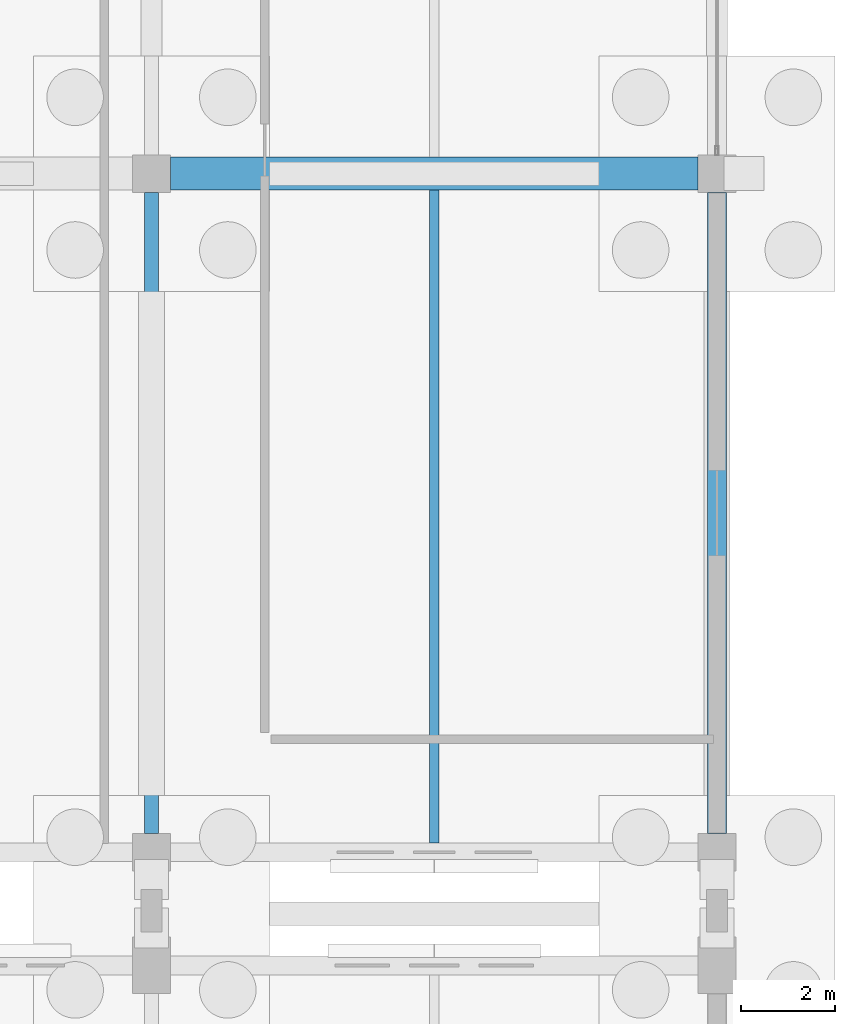
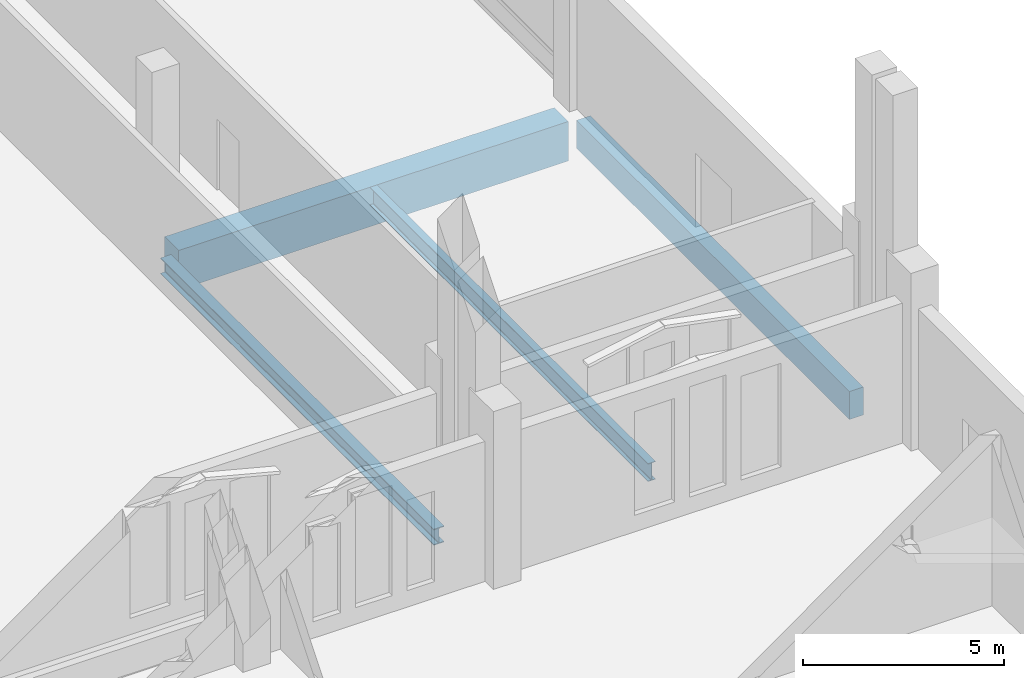
# One storey, part 116 of 192: 4 beams.
"""IFC4 building model written with IfcOpenShell, lengths in metres."""

from ifc_helpers import new_model, si_unit, direction, frame, origin, origin_2d, place, context, subcontext, project, spatial, rectangle, i_section, extrude, material, material_profile, profile_set, type_object, element, save


model = new_model("IFC4")

# Units and contexts
model_context = context("Model", 3, precision=1e-05, world=origin(), true_north=direction((0.0, 1.0)))
body_context = subcontext(model_context, "Body", "Model", "MODEL_VIEW")
ifc_project = project(units=[si_unit("LENGTHUNIT", "METRE"), si_unit("AREAUNIT", "SQUARE_METRE"), si_unit("VOLUMEUNIT", "CUBIC_METRE"), si_unit("PLANEANGLEUNIT", "RADIAN"), si_unit("MASSUNIT", "GRAM", prefix="KILO")], contexts=[model_context])

# Site, building, storey
site_placement = place(None, origin())
site = spatial("IfcSite", under=ifc_project, at=site_placement, CompositionType="ELEMENT")
building_placement = place(site_placement, origin())
building = spatial("IfcBuilding", under=site, at=building_placement, Name="Cendralis Lancet Convention Centre", CompositionType="ELEMENT")
storey_placement = place(building_placement, origin())
storey = spatial("IfcBuildingStorey", under=building, at=storey_placement, Name="L00", CompositionType="ELEMENT", Elevation=0.0)

# Beams
ifc_material_1 = material(Name="Concrete G40 (C40/50)", Category="concrete")
ifc_material_profile_1 = material_profile(ifc_material_1, rectangle(XDim=0.699951171875, YDim=1.199951171875, at=origin_2d()), Name="RCB 700x1200")
ifc_profile_set_1 = profile_set([ifc_material_profile_1], Name="Concrete G40 (C40/50)")
beam_type_1 = type_object("IfcBeamType", Name="STR-BM-BG01", PredefinedType="BEAM", material=ifc_profile_set_1)
beam_1_placement = place(storey_placement, frame((197.199951171875, 108.0, -0.919921875), z_axis=(1.0, 0.0, 0.0), x_axis=(0.0, 1.0, 0.0)))
element("IfcBeam", 1, at=beam_1_placement, inside=storey, type_object=beam_type_1, Name="L00 Beam BG01 #1592", PredefinedType="BEAM", context=body_context, shape_type="SweptSolid", body=[
    extrude(rectangle(XDim=0.699951171875, YDim=1.199951171875, at=origin_2d()), origin(), (0.0, 0.0, 1.0), 11.199951171875),
])
ifc_material_2 = material(Name="Steel S355", Category="steel")
ifc_material_profile_2 = material_profile(ifc_material_2, i_section(OverallWidth=0.300048828125, OverallDepth=0.489990234375, WebThickness=0.011962890625, FlangeThickness=0.02294921875, FilletRadius=0.027099609375, at=origin_2d()), Name="HEA 500")
ifc_profile_set_2 = profile_set([ifc_material_profile_2], Name="Steel S355")
beam_type_2 = type_object("IfcBeamType", Name="STR-BM-SG12", PredefinedType="BEAM", material=ifc_profile_set_2)
beam_2_placement = place(storey_placement, frame((196.800048828125, 94.0, -0.56494140625), z_axis=(0.0, 1.0, 0.0), x_axis=(-1.0, 0.0, 0.0)))
element("IfcBeam", 2, at=beam_2_placement, inside=storey, type_object=beam_type_2, Name="L00 Beam SG12 #1620", PredefinedType="BEAM", context=body_context, shape_type="SweptSolid", body=[
    extrude(i_section(OverallWidth=0.300048828125, OverallDepth=0.489990234375, WebThickness=0.011962890625, FlangeThickness=0.02294921875, FilletRadius=0.027099609375, at=origin_2d()), origin(), (0.0, 0.0, 1.0), 13.60009765625),
])
ifc_material_profile_3 = material_profile(ifc_material_2, i_section(OverallWidth=0.2099609375, OverallDepth=0.550048828125, WebThickness=0.010986328125, FlangeThickness=0.01708984375, FilletRadius=0.02392578125, at=origin_2d()), Name="IPE 550")
ifc_profile_set_3 = profile_set([ifc_material_profile_3], Name="Steel S355")
beam_type_3 = type_object("IfcBeamType", Name="STR-JS-BJ05", PredefinedType="JOIST", material=ifc_profile_set_3)
beam_3_placement = place(storey_placement, frame((202.800048828125, 93.800048828125, -0.594970703125), z_axis=(0.0, 1.0, 0.0), x_axis=(-1.0, 0.0, 0.0)))
element("IfcBeam", 3, at=beam_3_placement, inside=storey, type_object=beam_type_3, Name="L00 Beam BJ05 #1637", PredefinedType="JOIST", context=body_context, shape_type="SweptSolid", body=[
    extrude(i_section(OverallWidth=0.2099609375, OverallDepth=0.550048828125, WebThickness=0.010986328125, FlangeThickness=0.01708984375, FilletRadius=0.02392578125, at=origin_2d()), origin(), (0.0, 0.0, 1.0), 13.849853515625),
])
ifc_material_profile_4 = material_profile(ifc_material_1, rectangle(XDim=0.39990234375, YDim=0.85009765625, at=origin_2d()), Name="RCB 400x850")
ifc_profile_set_4 = profile_set([ifc_material_profile_4], Name="Concrete G40 (C40/50)")
beam_type_4 = type_object("IfcBeamType", Name="STR-SP-SP02", PredefinedType="SPANDREL", material=ifc_profile_set_4)
beam_4_placement = place(storey_placement, frame((208.800048828125, 94.0, -0.7451171875), z_axis=(0.0, 1.0, 0.0), x_axis=(-1.0, 0.0, 0.0)))
element("IfcBeam", 4, at=beam_4_placement, inside=storey, type_object=beam_type_4, Name="L00 Beam SP02 #1623", PredefinedType="SPANDREL", context=body_context, shape_type="SweptSolid", body=[
    extrude(rectangle(XDim=0.39990234375, YDim=0.85009765625, at=origin_2d()), origin(), (0.0, 0.0, 1.0), 13.60009765625),
])

save(model, "model.ifc")
